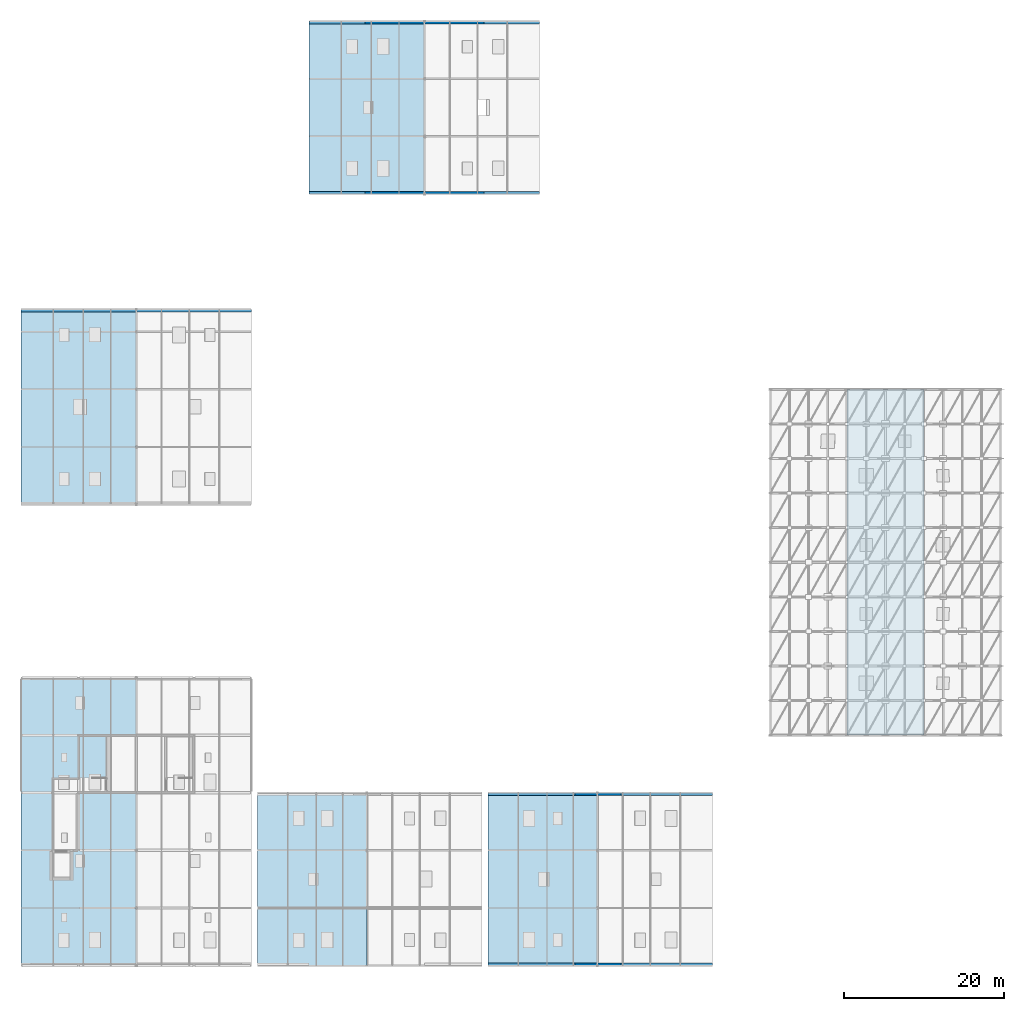
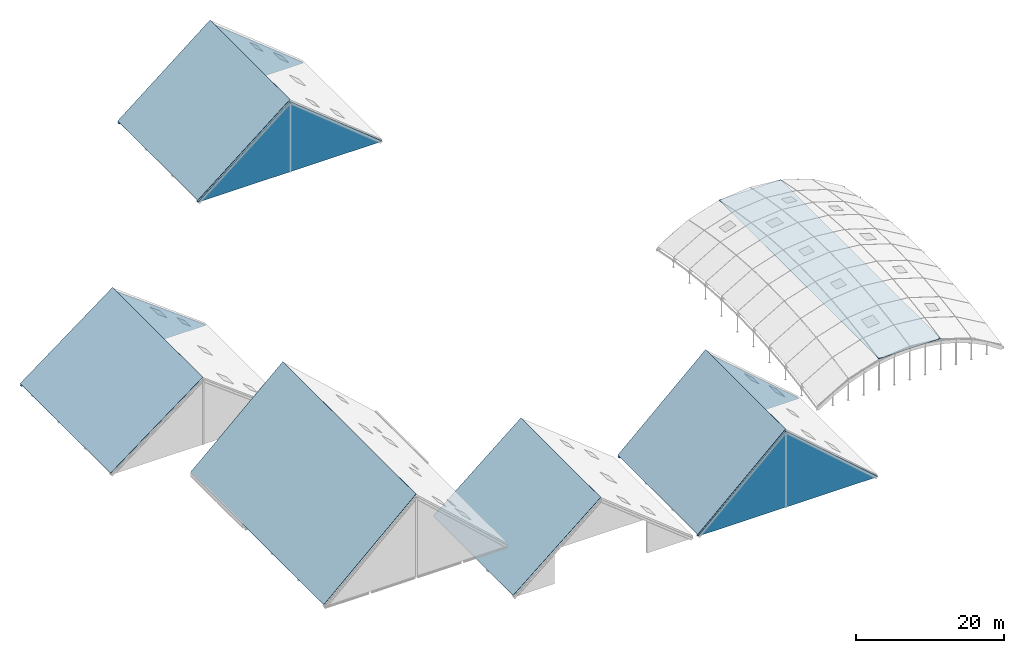
# One storey, part 34 of 35: 6 roofs, 5 walls.
"""IFC4 building model written with IfcOpenShell, lengths in metres."""

from ifc_helpers import new_model, si_unit, direction, frame, origin, place, context, subcontext, project, spatial, polyline, outline, extrude, material, layer, layer_set, type_object, element, save


model = new_model("IFC4")

# Units and contexts
model_context = context("Model", 3, precision=1e-05, world=origin(), true_north=direction((0.0, 1.0)))
body_context = subcontext(model_context, "Body", "Model", "MODEL_VIEW")
ifc_project = project(units=[si_unit("LENGTHUNIT", "METRE"), si_unit("AREAUNIT", "SQUARE_METRE"), si_unit("VOLUMEUNIT", "CUBIC_METRE"), si_unit("PLANEANGLEUNIT", "RADIAN"), si_unit("MASSUNIT", "GRAM", prefix="KILO")], contexts=[model_context])

# Site, building, storey
site_placement = place(None, origin())
site = spatial("IfcSite", under=ifc_project, at=site_placement, CompositionType="ELEMENT")
building_placement = place(site_placement, origin())
building = spatial("IfcBuilding", under=site, at=building_placement, Name="Zarrinpeak Specialist Clinic", CompositionType="ELEMENT")
storey_placement = place(building_placement, frame((0.0, 0.0, 31.60009765625)))
storey = spatial("IfcBuildingStorey", under=building, at=storey_placement, Name="RF", CompositionType="ELEMENT", Elevation=31.60009765625)

# Walls
ifc_material_1 = material(Name="Precast concrete C40/50", Category="concrete")
ifc_layer_1 = layer(ifc_material_1, 0.340087890625)
ifc_layer_set_1 = layer_set([ifc_layer_1], Name="Precast concrete C40/50")
wall_type = type_object("IfcWallType", Name="WL-EW340", PredefinedType="STANDARD", material=ifc_layer_set_1)
for number, where, z_axis, x_axis, name in (
    (1, (58.320068359375, 0.169921875, -8.800048828125), (0.0, 0.0, 1.0), (1.0, 0.0, 0.0), "V4 Pitched Gable End Wall 1"),
    (2, (58.320068359375, 21.429931640625, -8.800048828125), (0.0, 0.0, 1.0), (1.0, 0.0, 0.0), "V4 Pitched Gable End Wall 2"),
):
    element("IfcWall", number, at=place(storey_placement, frame(where, z_axis=z_axis, x_axis=x_axis)), inside=storey, type_object=wall_type, Name=name, PredefinedType="STANDARD", context=body_context, shape_type="SweptSolid", body=[
        extrude(outline(polyline([(0.0, 0.0), (28.079833984375, 0.0), (28.080078125, 0.050048828125), (13.679931640625, 12.550048828125), (0.0, 0.050048828125), (0.0, 0.0)])), frame((0.0, 0.169921875, 0.0), z_axis=(0.0, -1.0, 0.0), x_axis=(1.0, 0.0, 0.0)), (0.0, 0.0, 1.0), 0.340087890625),
    ])
wall_placement = place(storey_placement, frame((0.0, 81.830078125, -13.2001953125), z_axis=(0.0, 0.0, 1.0), x_axis=(1.0, 0.0, 0.0)))
element("IfcWall", 3, at=wall_placement, inside=storey, type_object=wall_type, Name="V5 Pitched Gable End Wall 2", PredefinedType="STANDARD", context=body_context, shape_type="SweptSolid", body=[
    extrude(outline(polyline([(0.0, 0.0), (28.800048828125, 0.0), (28.800048828125, 0.050048828125), (14.39990234375, 10.75), (0.0, 0.050048828125), (0.0, 0.0)])), frame((0.0, 0.169921875, 0.0), z_axis=(0.0, -1.0, 0.0), x_axis=(1.0, 0.0, 0.0)), (0.0, 0.0, 1.0), 0.340087890625),
])
for number, where, z_axis, x_axis, name in (
    (4, (36.0, 96.570068359375, -4.400146484375), (0.0, 0.0, 1.0), (1.0, 0.0, 0.0), "V6 Pitched Gable End Wall 1"),
    (5, (36.0, 117.830078125, -4.400146484375), (0.0, 0.0, 1.0), (1.0, 0.0, 0.0), "V6 Pitched Gable End Wall 2"),
):
    element("IfcWall", number, at=place(storey_placement, frame(where, z_axis=z_axis, x_axis=x_axis)), inside=storey, type_object=wall_type, Name=name, PredefinedType="STANDARD", context=body_context, shape_type="SweptSolid", body=[
        extrude(outline(polyline([(0.0, 0.0), (28.800048828125, 0.0), (28.800048828125, 0.050048828125), (14.39990234375, 11.550048828125), (0.0, 0.050048828125), (0.0, 0.0)])), frame((0.0, 0.169921875, 0.0), z_axis=(0.0, -1.0, 0.0), x_axis=(1.0, 0.0, 0.0)), (0.0, 0.0, 1.0), 0.340087890625),
    ])

# Roofs
ifc_material_2 = material(Name="Standing-seam aluminium roofing", Category="aluminium")
ifc_layer_2 = layer(ifc_material_2, 0.050048828125)
ifc_layer_set_2 = layer_set([ifc_layer_2], Name="Standing-seam aluminium roofing")
roof_type_1 = type_object("IfcRoofType", Name="RF-GABLE", PredefinedType="GABLE_ROOF", material=ifc_layer_set_2)
roof_1_placement = place(storey_placement, frame((0.0, 0.0, 0.348388671875), z_axis=(-0.675725760405, 0.0, 0.737153102636), x_axis=(0.737153102636, 0.0, 0.675725760405)))
element("IfcRoof", 6, at=roof_1_placement, inside=storey, type_object=roof_type_1, Name="V1 Standing-Seam Pitched Gable Roof", PredefinedType="GABLE_ROOF", context=body_context, shape_type="SweptSolid", body=[
    extrude(outline(polyline([(0.0, 0.0), (19.534479733267048, 0.0), (19.534479733267048, 36.0), (0.0, 36.0), (0.0, 0.0)])), origin(), (0.0, 0.0, -1.0), 0.044921875),
])
roof_2_placement = place(storey_placement, frame((29.52001953125, 0.0, -8.466796875), z_axis=(-0.640191142291, 0.0, 0.768215660692), x_axis=(0.768215660692, 0.0, 0.640191142291)))
element("IfcRoof", 7, at=roof_2_placement, inside=storey, type_object=roof_type_1, Name="V2 Standing-Seam Pitched Gable Roof", PredefinedType="GABLE_ROOF", context=body_context, shape_type="SweptSolid", body=[
    extrude(outline(polyline([(0.0, 0.0), (17.807410523638204, 0.0), (17.807410523638204, 21.600097656250004), (0.0, 21.600097656250004), (0.0, 0.0)])), origin(), (0.0, 0.0, -1.0), 0.044921875),
])
roof_3_placement = place(storey_placement, frame((58.320068359375, 0.0, -8.494873046875), z_axis=(-0.677480427116, 0.0, 0.735540801639), x_axis=(0.735540801639, 0.0, 0.677480427116)))
element("IfcRoof", 8, at=roof_3_placement, inside=storey, type_object=roof_type_1, Name="V4 Standing-Seam Pitched Gable Roof", PredefinedType="GABLE_ROOF", context=body_context, shape_type="SweptSolid", body=[
    extrude(outline(polyline([(0.0, 0.0), (18.598467427162106, 0.0), (18.598467427162106, 21.60009765625), (0.0, 21.60009765625), (0.0, 0.0)])), origin(), (0.0, 0.0, -1.0), 0.044921875),
])
roof_4_placement = place(storey_placement, frame((0.0, 57.60009765625, -12.91259765625), z_axis=(-0.600004340281, 0.0, 0.799996744771), x_axis=(0.799996744771, 0.0, 0.600004340281)))
element("IfcRoof", 9, at=roof_4_placement, inside=storey, type_object=roof_type_1, Name="V5 Standing-Seam Pitched Gable Roof", PredefinedType="GABLE_ROOF", context=body_context, shape_type="SweptSolid", body=[
    extrude(outline(polyline([(0.0, 0.0), (17.999951172139912, 0.0), (17.999951172139912, 24.39990234375), (0.0, 24.39990234375), (0.0, 0.0)])), origin(), (0.0, 0.0, -1.0), 0.044921875),
])
roof_5_placement = place(storey_placement, frame((36.0, 96.39990234375, -4.067626953125), z_axis=(-0.627335320806, 0.0, 0.778749250574), x_axis=(0.778749250574, 0.0, 0.627335320806)))
element("IfcRoof", 10, at=roof_5_placement, inside=storey, type_object=roof_type_1, Name="V6 Standing-Seam Pitched Gable Roof", PredefinedType="GABLE_ROOF", context=body_context, shape_type="SweptSolid", body=[
    extrude(outline(polyline([(0.0, 0.0), (18.49106414309554, 0.0), (18.49106414309554, 21.60009765625), (0.0, 21.60009765625), (0.0, 0.0)])), origin(), (0.0, 0.0, -1.0), 0.044921875),
])
ifc_material_3 = material(Name="Standing-seam aluminium vault roofing", Category="aluminium")
ifc_layer_3 = layer(ifc_material_3, 0.050048828125)
ifc_layer_set_3 = layer_set([ifc_layer_3], Name="Standing-seam aluminium vault roofing")
roof_type_2 = type_object("IfcRoofType", Name="RF-VAULT", PredefinedType="BARREL_ROOF", material=ifc_layer_set_3)
roof_6_placement = place(storey_placement, frame((103.199951171875, 28.800048828125, -12.705078125), z_axis=(0.0, 0.0, 1.0), x_axis=(1.0, 0.0, 0.0)))
element("IfcRoof", 11, at=roof_6_placement, inside=storey, type_object=roof_type_2, Name="V3 Translational Gridshell Vault Standing-Seam Roof", PredefinedType="BARREL_ROOF", context=body_context, shape_type="SweptSolid", body=[
    extrude(outline(polyline([(0.0, 0.0), (9.60009765625, 0.0), (9.60009765625, 43.199951171875), (0.0, 43.199951171875), (0.0, 0.0)])), origin(), (0.0, 0.0, -1.0), 0.044921875),
])

save(model, "model.ifc")
